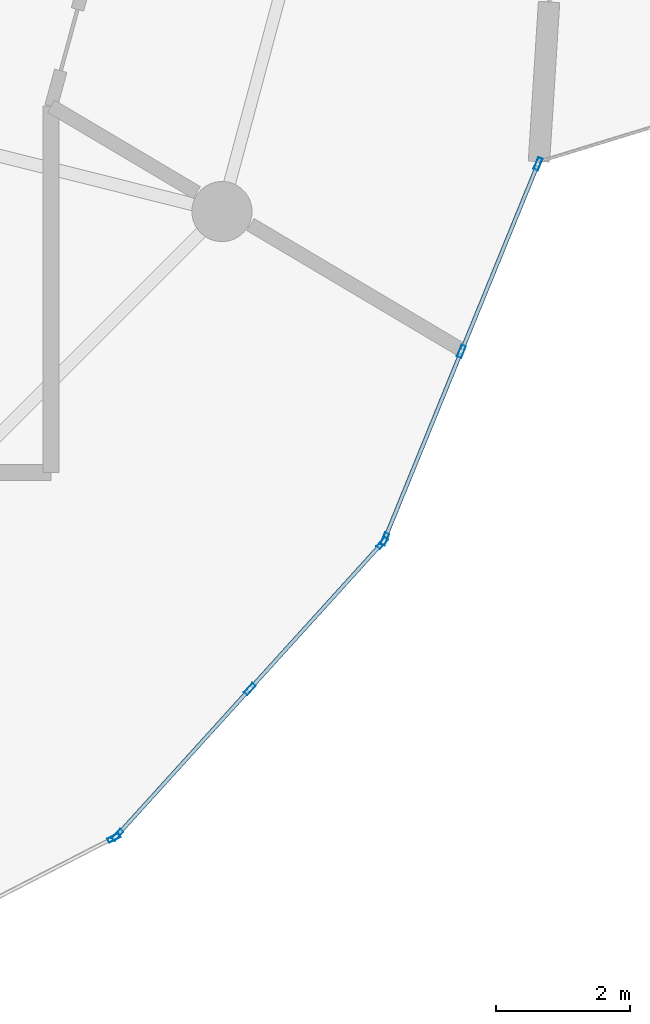
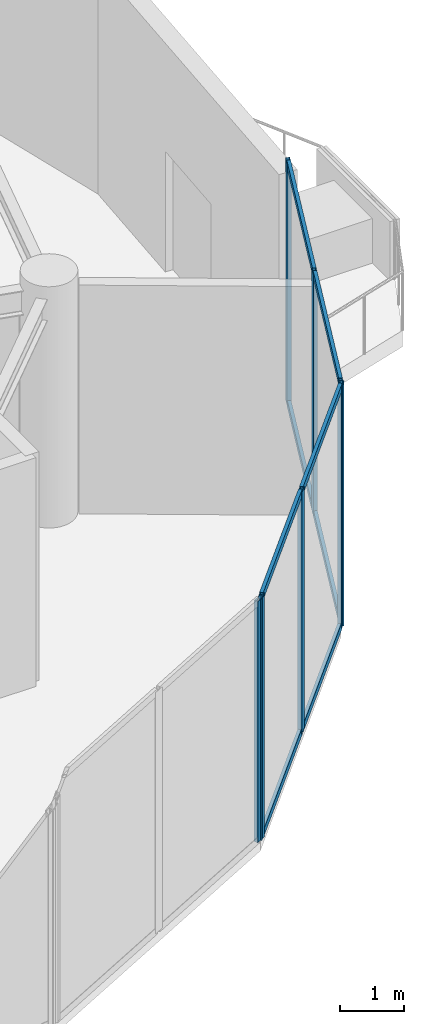
# One storey, part 11 of 23: 15 members, 3 elements without a shape of their own.
"""IFC4 building model written with IfcOpenShell, lengths in metres."""

from ifc_helpers import new_model, si_unit, direction, frame, origin, origin_2d, place, context, subcontext, project, spatial, hollow_rectangle, extrude, source, transform, mapped, material, layer, layer_set, material_profile, profile_set, type_object, element, aggregate, save


model = new_model("IFC4")

# Units and contexts
model_context = context("Model", 3, precision=1e-05, world=origin(), true_north=direction((0.0, 1.0)))
body_context = subcontext(model_context, "Body", "Model", "MODEL_VIEW")
ifc_project = project(units=[si_unit("LENGTHUNIT", "METRE"), si_unit("AREAUNIT", "SQUARE_METRE"), si_unit("VOLUMEUNIT", "CUBIC_METRE"), si_unit("PLANEANGLEUNIT", "RADIAN"), si_unit("MASSUNIT", "GRAM", prefix="KILO")], contexts=[model_context])

# Site, building, storey
site_placement = place(None, origin())
site = spatial("IfcSite", under=ifc_project, at=site_placement, CompositionType="ELEMENT")
building_placement = place(site_placement, origin())
building = spatial("IfcBuilding", under=site, at=building_placement, Name="Solvirekh Grand Hotel", CompositionType="ELEMENT")
storey_placement = place(building_placement, frame((0.0, 0.0, 168.60009765625)))
storey = spatial("IfcBuildingStorey", under=building, at=storey_placement, Name="L43", CompositionType="ELEMENT", Elevation=168.60009765625)

# Curtain wall, members
ifc_material = material(Name="Anodized Bronze Aluminium 6063-T6", Category="aluminium")
ifc_layer = layer(ifc_material, 0.18994140625)
ifc_layer_set = layer_set([ifc_layer], Name="Anodized Bronze Aluminium 6063-T6")
curtain_wall_type = type_object("IfcCurtainWallType", Name="CW_Sys5_SkyLobbyPanoramaCW", PredefinedType="NOTDEFINED", material=ifc_layer_set)
curtain_wall_1_placement = place(storey_placement, origin())
curtain_wall_1 = element("IfcCurtainWall", 1, at=curtain_wall_1_placement, inside=storey, type_object=curtain_wall_type, Name="L43 unitised bronze-glass curtain wall CW-L43-C01", PredefinedType="NOTDEFINED")
ifc_material_profile_1 = material_profile(ifc_material, hollow_rectangle(XDim=0.070068359375, YDim=0.18994140625, WallThickness=0.0048828125, at=origin_2d()), Name="ALU RHS 190X70X5")
ifc_profile_set_1 = profile_set([ifc_material_profile_1], Name="Anodized Bronze Aluminium 6063-T6")
member_type_1 = type_object("IfcMemberType", Name="CWMullion_Sys5", PredefinedType="MULLION", material=ifc_profile_set_1)
shared_shape_1 = source(origin(), body_context, "Body", "SweptSolid", [
    extrude(hollow_rectangle(XDim=0.070068359375, YDim=0.18994140625, WallThickness=0.0048828125, at=origin_2d()), origin(), (0.0, 0.0, 1.0), 4.599853515625),
])
member_1_placement = place(storey_placement, frame((12.12060546875, -17.22509765625, 0.0), z_axis=(0.0, 0.0, 1.0), x_axis=(-0.740788855491, 0.671737948594, 0.0)))
member_1 = element("IfcMember", 2, at=member_1_placement, type_object=member_type_1, Name="U05 mullion 1", PredefinedType="MULLION", context=body_context, shape_type="MappedRepresentation", body=[
    mapped(shared_shape_1, transform((0.0, 0.0, 0.0), x_axis=(1.0, 0.0, 0.0), y_axis=(0.0, 1.0, 0.0), z_axis=(0.0, 0.0, 1.0), scale=1.0)),
])
member_2_placement = place(storey_placement, frame((14.10107421875, -15.041015625, 0.0), z_axis=(0.0, 0.0, 1.0), x_axis=(-0.740788855491, 0.671737948594, 0.0)))
member_2 = element("IfcMember", 3, at=member_2_placement, type_object=member_type_1, Name="U05 mullion 2", PredefinedType="MULLION", context=body_context, shape_type="MappedRepresentation", body=[
    mapped(shared_shape_1, transform((0.0, 0.0, 0.0), x_axis=(1.0, 0.0, 0.0), y_axis=(0.0, 1.0, 0.0), z_axis=(0.0, 0.0, 1.0), scale=1.0)),
])
member_3_placement = place(storey_placement, frame((16.08154296875, -12.85693359375, 0.0), z_axis=(0.0, 0.0, 1.0), x_axis=(-0.740788855491, 0.671737948594, 0.0)))
member_3 = element("IfcMember", 4, at=member_3_placement, type_object=member_type_1, Name="U05 mullion 3", PredefinedType="MULLION", context=body_context, shape_type="MappedRepresentation", body=[
    mapped(shared_shape_1, transform((0.0, 0.0, 0.0), x_axis=(1.0, 0.0, 0.0), y_axis=(0.0, 1.0, 0.0), z_axis=(0.0, 0.0, 1.0), scale=1.0)),
])

curtain_wall_2_placement = place(storey_placement, origin())
curtain_wall_2 = element("IfcCurtainWall", 5, at=curtain_wall_2_placement, inside=storey, type_object=curtain_wall_type, Name="L43 unitised bronze-glass curtain wall CW-L43-C02", PredefinedType="NOTDEFINED")
member_4_placement = place(storey_placement, frame((16.1181640625, -12.798583984375, 0.0), z_axis=(0.0, 0.0, 1.0), x_axis=(-0.925718325904, 0.378213671203, 0.0)))
member_4 = element("IfcMember", 6, at=member_4_placement, type_object=member_type_1, Name="U05 mullion 1", PredefinedType="MULLION", context=body_context, shape_type="MappedRepresentation", body=[
    mapped(shared_shape_1, transform((0.0, 0.0, 0.0), x_axis=(1.0, 0.0, 0.0), y_axis=(0.0, 1.0, 0.0), z_axis=(0.0, 0.0, 1.0), scale=1.0)),
])
member_5_placement = place(storey_placement, frame((17.264404296875, -9.992919921875, 0.0), z_axis=(0.0, 0.0, 1.0), x_axis=(-0.925718325904, 0.378213671203, 0.0)))
member_5 = element("IfcMember", 7, at=member_5_placement, type_object=member_type_1, Name="U05 mullion 2", PredefinedType="MULLION", context=body_context, shape_type="MappedRepresentation", body=[
    mapped(shared_shape_1, transform((0.0, 0.0, 0.0), x_axis=(1.0, 0.0, 0.0), y_axis=(0.0, 1.0, 0.0), z_axis=(0.0, 0.0, 1.0), scale=1.0)),
])
member_6_placement = place(storey_placement, frame((18.41064453125, -7.1875, 0.0), z_axis=(0.0, 0.0, 1.0), x_axis=(-0.925718325904, 0.378213671203, 0.0)))
member_6 = element("IfcMember", 8, at=member_6_placement, type_object=member_type_1, Name="U05 mullion 3", PredefinedType="MULLION", context=body_context, shape_type="MappedRepresentation", body=[
    mapped(shared_shape_1, transform((0.0, 0.0, 0.0), x_axis=(1.0, 0.0, 0.0), y_axis=(0.0, 1.0, 0.0), z_axis=(0.0, 0.0, 1.0), scale=1.0)),
])

# Curtain wall, member
curtain_wall_3_placement = place(storey_placement, origin())
curtain_wall_3 = element("IfcCurtainWall", 9, at=curtain_wall_3_placement, inside=storey, type_object=curtain_wall_type, Name="L43 unitised bronze-glass curtain wall CW-L43-C20", PredefinedType="NOTDEFINED")
member_7_placement = place(storey_placement, frame((12.06591796875, -17.26708984375, 0.0), z_axis=(0.0, 0.0, 1.0), x_axis=(-0.457639535446, 0.889137815862, 0.0)))
member_7 = element("IfcMember", 10, at=member_7_placement, type_object=member_type_1, Name="U05 mullion 3", PredefinedType="MULLION", context=body_context, shape_type="MappedRepresentation", body=[
    mapped(shared_shape_1, transform((0.0, 0.0, 0.0), x_axis=(1.0, 0.0, 0.0), y_axis=(0.0, 1.0, 0.0), z_axis=(0.0, 0.0, 1.0), scale=1.0)),
])
aggregate(curtain_wall_3, [member_7])

# Member
ifc_material_profile_2 = material_profile(ifc_material, hollow_rectangle(XDim=0.06005859375, YDim=0.135009765625, WallThickness=0.00390625, at=origin_2d()), Name="ALU RHS 135X60X4")
ifc_profile_set_2 = profile_set([ifc_material_profile_2], Name="Anodized Bronze Aluminium 6063-T6")
member_type_2 = type_object("IfcMemberType", Name="CWTransom_Sys5", PredefinedType="USERDEFINED", material=ifc_profile_set_2)
shared_shape_2 = source(origin(), body_context, "Body", "SweptSolid", [
    extrude(hollow_rectangle(XDim=0.06005859375, YDim=0.135009765625, WallThickness=0.00390625, at=origin_2d()), origin(), (0.0, 0.0, 1.0), 2.87841796875),
])
member_8_placement = place(storey_placement, frame((12.14404296875, -17.19921875, 0.02978515625), z_axis=(0.671696960913, 0.740826020534, 0.0), x_axis=(-0.740826020534, 0.671696960913, 0.0)))
member_8 = element("IfcMember", 11, at=member_8_placement, type_object=member_type_2, Name="U05 transom 1.1", ObjectType="TRANSOM", PredefinedType="USERDEFINED", context=body_context, shape_type="MappedRepresentation", body=[
    mapped(shared_shape_2, transform((0.0, 0.0, 0.0), x_axis=(1.0, 0.0, 0.0), y_axis=(0.0, 1.0, 0.0), z_axis=(0.0, 0.0, 1.0), scale=1.0)),
])

member_9_placement = place(storey_placement, frame((12.14404296875, -17.19921875, 4.56982421875), z_axis=(0.671696960913, 0.740826020534, 0.0), x_axis=(-0.740826020534, 0.671696960913, 0.0)))
member_9 = element("IfcMember", 12, at=member_9_placement, type_object=member_type_2, Name="U05 transom 1.2", ObjectType="TRANSOM", PredefinedType="USERDEFINED", context=body_context, shape_type="MappedRepresentation", body=[
    mapped(shared_shape_2, transform((0.0, 0.0, 0.0), x_axis=(1.0, 0.0, 0.0), y_axis=(0.0, 1.0, 0.0), z_axis=(0.0, 0.0, 1.0), scale=1.0)),
])

member_10_placement = place(storey_placement, frame((14.12451171875, -15.01513671875, 0.02978515625), z_axis=(0.671696960913, 0.740826020534, 0.0), x_axis=(-0.740826020534, 0.671696960913, 0.0)))
member_10 = element("IfcMember", 13, at=member_10_placement, type_object=member_type_2, Name="U05 transom 2.1", ObjectType="TRANSOM", PredefinedType="USERDEFINED", context=body_context, shape_type="MappedRepresentation", body=[
    mapped(shared_shape_2, transform((0.0, 0.0, 0.0), x_axis=(1.0, 0.0, 0.0), y_axis=(0.0, 1.0, 0.0), z_axis=(0.0, 0.0, 1.0), scale=1.0)),
])

member_11_placement = place(storey_placement, frame((14.12451171875, -15.01513671875, 4.56982421875), z_axis=(0.671696960913, 0.740826020534, 0.0), x_axis=(-0.740826020534, 0.671696960913, 0.0)))
member_11 = element("IfcMember", 14, at=member_11_placement, type_object=member_type_2, Name="U05 transom 2.2", ObjectType="TRANSOM", PredefinedType="USERDEFINED", context=body_context, shape_type="MappedRepresentation", body=[
    mapped(shared_shape_2, transform((0.0, 0.0, 0.0), x_axis=(1.0, 0.0, 0.0), y_axis=(0.0, 1.0, 0.0), z_axis=(0.0, 0.0, 1.0), scale=1.0)),
])

aggregate(curtain_wall_1, [member_1, member_2, member_3, member_8, member_9, member_10, member_11])

shared_shape_3 = source(origin(), body_context, "Body", "SweptSolid", [
    extrude(hollow_rectangle(XDim=0.06005859375, YDim=0.135009765625, WallThickness=0.00390625, at=origin_2d()), origin(), (0.0, 0.0, 1.0), 2.960693359375),
])
member_12_placement = place(storey_placement, frame((16.131591796875, -12.76611328125, 0.02978515625), z_axis=(0.378176843225, 0.925733371575, 0.0), x_axis=(-0.925733371575, 0.378176843225, 0.0)))
member_12 = element("IfcMember", 15, at=member_12_placement, type_object=member_type_2, Name="U05 transom 1.1", ObjectType="TRANSOM", PredefinedType="USERDEFINED", context=body_context, shape_type="MappedRepresentation", body=[
    mapped(shared_shape_3, transform((0.0, 0.0, 0.0), x_axis=(1.0, 0.0, 0.0), y_axis=(0.0, 1.0, 0.0), z_axis=(0.0, 0.0, 1.0), scale=1.0)),
])

member_13_placement = place(storey_placement, frame((16.131591796875, -12.76611328125, 4.56982421875), z_axis=(0.378176843225, 0.925733371575, 0.0), x_axis=(-0.925733371575, 0.378176843225, 0.0)))
member_13 = element("IfcMember", 16, at=member_13_placement, type_object=member_type_2, Name="U05 transom 1.2", ObjectType="TRANSOM", PredefinedType="USERDEFINED", context=body_context, shape_type="MappedRepresentation", body=[
    mapped(shared_shape_3, transform((0.0, 0.0, 0.0), x_axis=(1.0, 0.0, 0.0), y_axis=(0.0, 1.0, 0.0), z_axis=(0.0, 0.0, 1.0), scale=1.0)),
])

shared_shape_4 = source(origin(), body_context, "Body", "SweptSolid", [
    extrude(hollow_rectangle(XDim=0.06005859375, YDim=0.135009765625, WallThickness=0.00390625, at=origin_2d()), origin(), (0.0, 0.0, 1.0), 2.9609375),
])
member_14_placement = place(storey_placement, frame((17.27783203125, -9.960693359375, 0.02978515625), z_axis=(0.378147975581, 0.925745163943, 0.0), x_axis=(-0.925745163943, 0.378147975581, 0.0)))
member_14 = element("IfcMember", 17, at=member_14_placement, type_object=member_type_2, Name="U05 transom 2.1", ObjectType="TRANSOM", PredefinedType="USERDEFINED", context=body_context, shape_type="MappedRepresentation", body=[
    mapped(shared_shape_4, transform((0.0, 0.0, 0.0), x_axis=(1.0, 0.0, 0.0), y_axis=(0.0, 1.0, 0.0), z_axis=(0.0, 0.0, 1.0), scale=1.0)),
])

member_15_placement = place(storey_placement, frame((17.27783203125, -9.960693359375, 4.56982421875), z_axis=(0.378147975581, 0.925745163943, 0.0), x_axis=(-0.925745163943, 0.378147975581, 0.0)))
member_15 = element("IfcMember", 18, at=member_15_placement, type_object=member_type_2, Name="U05 transom 2.2", ObjectType="TRANSOM", PredefinedType="USERDEFINED", context=body_context, shape_type="MappedRepresentation", body=[
    mapped(shared_shape_4, transform((0.0, 0.0, 0.0), x_axis=(1.0, 0.0, 0.0), y_axis=(0.0, 1.0, 0.0), z_axis=(0.0, 0.0, 1.0), scale=1.0)),
])

aggregate(curtain_wall_2, [member_4, member_5, member_6, member_12, member_13, member_14, member_15])

save(model, "model.ifc")
